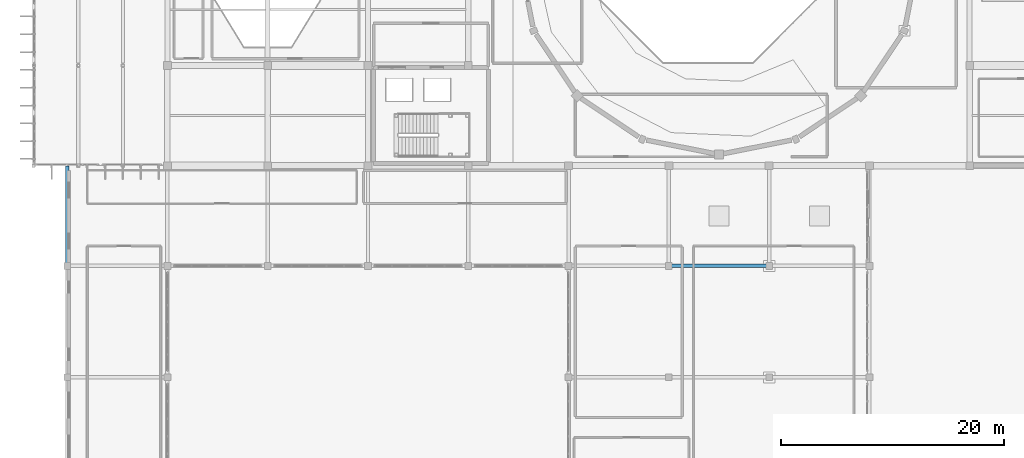
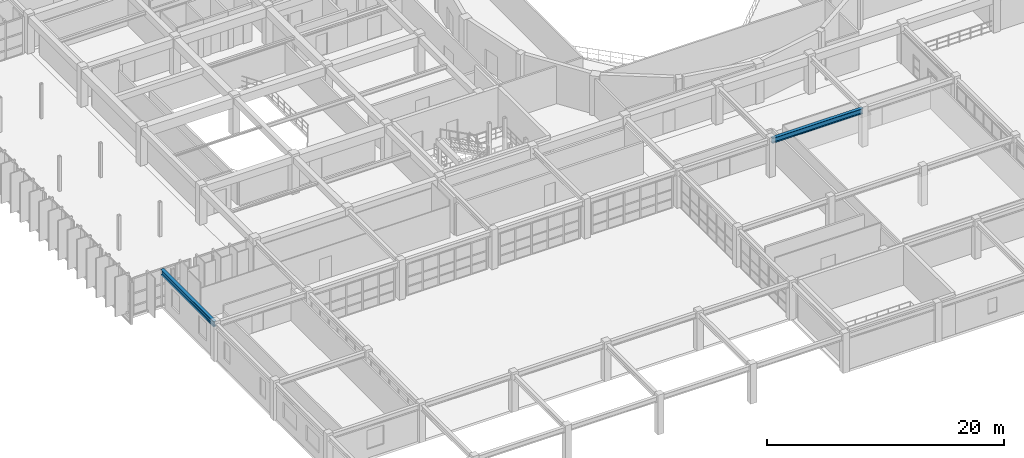
# One storey, part 24 of 110: 2 beams.
"""IFC4 building model written with IfcOpenShell, lengths in metres."""

import ifcopenshell
import ifcopenshell.guid

model = None  # the IFC model being written
_history = None  # IfcOwnerHistory: only IFC2X3 demands one
_inside = {}  # id of a spatial element -> (the spatial element, [elements in it])
_under = {}  # id of a project, library or spatial element -> (it, [spatial elements below it])
_declared = {}  # id of a project -> (the project, [libraries it declares])
_typed = {}  # id of a type object -> (the type object, [elements of that type])
_made_of = {}  # id of a material, layer set ... -> (it, [elements and type objects made of it])


def new_model(schema):
    """Start an empty IFC model of exactly this schema.

    Asked for "IFC4X3", IfcOpenShell would pick the latest addendum, in which some entities
    have other attributes; the version numbers below select the first issue.
    IFC2X3 requires an IfcOwnerHistory on every rooted entity: one is made here for all.
    """
    global model, _history
    if schema == "IFC4X3":
        model = ifcopenshell.file(schema_version=(4, 3, 0, 0))
    else:
        model = ifcopenshell.file(schema=schema)
    _inside.clear()
    _under.clear()
    _declared.clear()
    _typed.clear()
    _made_of.clear()
    _history = None
    if model.schema == "IFC2X3":
        org = make("IfcOrganization", Name="unknown")
        user = make(
            "IfcPersonAndOrganization",
            ThePerson=make("IfcPerson", FamilyName="unknown"),
            TheOrganization=org,
        )
        app = make(
            "IfcApplication",
            ApplicationDeveloper=org,
            Version="unknown",
            ApplicationFullName="unknown",
            ApplicationIdentifier="unknown",
        )
        _history = make(
            "IfcOwnerHistory",
            OwningUser=user,
            OwningApplication=app,
            ChangeAction="ADDED",
            CreationDate=0,
        )
    return model


def make(cls, **values):
    """One entity of the class cls with the attributes given. An attribute that is None is left unset."""
    return model.create_entity(
        cls, **{name: value for name, value in values.items() if value is not None}
    )


def rooted(cls, **values):
    """An entity with a GlobalId (a new one), such as an element, a storey or a relation."""
    return make(cls, GlobalId=ifcopenshell.guid.new(), OwnerHistory=_history, **values)


def si_unit(unit_type, name, prefix=None):
    """IfcSIUnit, for example si_unit("LENGTHUNIT", "METRE", prefix="MILLI")."""
    return make("IfcSIUnit", UnitType=unit_type, Prefix=prefix, Name=name)


def assignment(units):
    """IfcUnitAssignment: the units of a project."""
    return None if units is None else make("IfcUnitAssignment", Units=units)


def point(xyz):
    """IfcCartesianPoint."""
    return None if xyz is None else make("IfcCartesianPoint", Coordinates=xyz)


def direction(xyz):
    """IfcDirection."""
    return None if xyz is None else make("IfcDirection", DirectionRatios=xyz)


def frame(location, z_axis=None, x_axis=None):
    """IfcAxis2Placement3D, a coordinate frame: its origin and axes. An axis left out is left unset."""
    return make(
        "IfcAxis2Placement3D",
        Location=point(location),
        Axis=direction(z_axis),
        RefDirection=direction(x_axis),
    )


def frame_2d(location, x_axis=None):
    """IfcAxis2Placement2D, a coordinate frame in the plane: its origin and x axis."""
    return make(
        "IfcAxis2Placement2D", Location=point(location), RefDirection=direction(x_axis)
    )


def origin():
    """The frame at (0, 0, 0) with its axes left unset."""
    return frame((0.0, 0.0, 0.0))


def origin_2d():
    """The frame at (0, 0) in the plane with its x axis left unset."""
    return frame_2d((0.0, 0.0))


def place(relative_to, where):
    """IfcLocalPlacement: puts the frame where relative to a parent placement (None: the world)."""
    return make(
        "IfcLocalPlacement", PlacementRelTo=relative_to, RelativePlacement=where
    )


def context(
    kind, dimensions, precision=None, world=None, true_north=None, identifier=None
):
    """IfcGeometricRepresentationContext, for example the 3D "Model" context."""
    return make(
        "IfcGeometricRepresentationContext",
        ContextIdentifier=identifier,
        ContextType=kind,
        CoordinateSpaceDimension=dimensions,
        Precision=precision,
        WorldCoordinateSystem=world,
        TrueNorth=true_north,
    )


def subcontext(parent, identifier, kind, view, scale=None):
    """IfcGeometricRepresentationSubContext, for example "Body" below "Model"."""
    return make(
        "IfcGeometricRepresentationSubContext",
        ContextIdentifier=identifier,
        ContextType=kind,
        ParentContext=parent,
        TargetScale=scale,
        TargetView=view,
    )


def project(units=None, contexts=None):
    """IfcProject with its units and contexts."""
    return rooted(
        "IfcProject",
        Name="project",
        RepresentationContexts=contexts,
        UnitsInContext=assignment(units),
    )


def spatial(cls, under=None, at=None, **own):
    """A site, building, storey or space (cls), placed at a placement, below another one or the project."""
    s = rooted(cls, ObjectPlacement=at, **own)
    if under is not None:
        _under.setdefault(under.id(), (under, []))[1].append(s)
    return s


def profile(cls, at=None, kind="AREA", **sizes):
    """A parametric profile (cls). Its sizes go by their IFC names, for example OverallWidth=200.0."""
    return make(cls, ProfileType=kind, Position=at, **sizes)


def i_section(**sizes):
    """IfcIShapeProfileDef."""
    return profile("IfcIShapeProfileDef", **sizes)


def extrude(swept, where, along, depth):
    """IfcExtrudedAreaSolid: the profile swept, set in the frame where, extruded along a direction by depth."""
    return make(
        "IfcExtrudedAreaSolid",
        SweptArea=swept,
        Position=where,
        ExtrudedDirection=direction(along),
        Depth=depth,
    )


def shape(context_of_items, identifier, shape_type, items):
    """IfcShapeRepresentation: the items that make up one representation, for example the "Body"."""
    return make(
        "IfcShapeRepresentation",
        ContextOfItems=context_of_items,
        RepresentationIdentifier=identifier,
        RepresentationType=shape_type,
        Items=items,
    )


def material(Name=None, Category=None):
    """IfcMaterial."""
    return make("IfcMaterial", Name=Name, Category=Category)


def material_profile(
    of_material, cross_section, Name=None, Category=None, Priority=None
):
    """IfcMaterialProfile: a cross section and its material."""
    return make(
        "IfcMaterialProfile",
        Name=Name,
        Material=of_material,
        Profile=cross_section,
        Priority=Priority,
        Category=Category,
    )


def profile_set(profiles, Name=None, composite=None):
    """IfcMaterialProfileSet."""
    return make(
        "IfcMaterialProfileSet",
        Name=Name,
        MaterialProfiles=profiles,
        CompositeProfile=composite,
    )


def made_of(thing, what):
    """Note that an element or type object is made of a material, layer set ...; save() writes the relation."""
    if what is not None:
        _made_of.setdefault(what.id(), (what, []))[1].append(thing)
    return thing


def type_object(cls, material=None, **own):
    """A type object (cls), such as IfcWallType, which elements share."""
    return made_of(rooted(cls, **own), material)


def element(
    cls,
    number,
    at=None,
    inside=None,
    cuts=None,
    type_object=None,
    material=None,
    context=None,
    identifier="Body",
    shape_type=None,
    held_by="IfcProductDefinitionShape",
    body=None,
    shapes=None,
    **own,
):
    """One element of the class cls, such as IfcWall. Its Tag is "e" and its number.

    at: its placement. inside: the storey or other place that contains it. cuts: it is an
    opening in that element (IfcRelVoidsElement). A single representation is given by context,
    identifier, shape_type and body (its items); several are given by shapes. held_by: the class
    of the entity that holds the representations. save() writes the other relations.
    """
    e = rooted(cls, Tag="e%d" % number, ObjectPlacement=at, **own)
    if body is not None:
        shapes = [shape(context, identifier, shape_type, body)]
    if shapes is not None:
        e.Representation = make(held_by, Representations=shapes)
    if inside is not None:
        _inside.setdefault(inside.id(), (inside, []))[1].append(e)
    if cuts is not None:
        rooted(
            "IfcRelVoidsElement", RelatingBuildingElement=cuts, RelatedOpeningElement=e
        )
    if type_object is not None:
        _typed.setdefault(type_object.id(), (type_object, []))[1].append(e)
    return made_of(e, material)


def aggregate(whole, parts):
    """IfcRelAggregates: a whole, such as a stair, and the parts it consists of."""
    return rooted("IfcRelAggregates", RelatingObject=whole, RelatedObjects=parts)


def save(model, path):
    """Write the relations noted so far, then the file.

    IfcRelAggregates (storeys below a building ...), IfcRelContainedInSpatialStructure (elements
    in a storey), IfcRelDefinesByType, IfcRelAssociatesMaterial and IfcRelDeclares: one each for
    every whole, place, type object, material and project.
    """
    for whole, parts in _under.values():
        aggregate(whole, parts)
    for where, things in _inside.values():
        rooted(
            "IfcRelContainedInSpatialStructure",
            RelatedElements=things,
            RelatingStructure=where,
        )
    for kind, things in _typed.values():
        rooted("IfcRelDefinesByType", RelatedObjects=things, RelatingType=kind)
    for what, things in _made_of.values():
        rooted("IfcRelAssociatesMaterial", RelatedObjects=things, RelatingMaterial=what)
    for by, libraries in _declared.values():
        rooted("IfcRelDeclares", RelatingContext=by, RelatedDefinitions=libraries)
    model.write(path)


model = new_model("IFC4")

# Units and contexts
model_context = context("Model", 3, precision=1e-05, world=origin(), true_north=direction((0.0, 1.0)))
body_context = subcontext(model_context, "Body", "Model", "MODEL_VIEW")
ifc_project = project(units=[si_unit("LENGTHUNIT", "METRE"), si_unit("AREAUNIT", "SQUARE_METRE"), si_unit("VOLUMEUNIT", "CUBIC_METRE"), si_unit("PLANEANGLEUNIT", "RADIAN"), si_unit("MASSUNIT", "GRAM", prefix="KILO")], contexts=[model_context])

# Site, building, storey
site_placement = place(None, origin())
site = spatial("IfcSite", under=ifc_project, at=site_placement, CompositionType="ELEMENT")
building_placement = place(site_placement, origin())
building = spatial("IfcBuilding", under=site, at=building_placement, Name="Miravela Opera House", CompositionType="ELEMENT")
storey_placement = place(building_placement, frame((0.0, 0.0, 13.60009765625)))
storey = spatial("IfcBuildingStorey", under=building, at=storey_placement, Name="L03", CompositionType="ELEMENT", Elevation=13.60009765625)

# Beams
ifc_material = material(Name="Structural steel ASTM A992 Gr. 50", Category="steel")
ifc_material_profile = material_profile(ifc_material, i_section(OverallWidth=0.31201171875, OverallDepth=0.54296875, WebThickness=0.0126953125, FlangeThickness=0.020263671875, FilletRadius=0.01611328125, at=origin_2d()), Name="W530X150")
ifc_profile_set = profile_set([ifc_material_profile])
beam_type = type_object("IfcBeamType", Name="STR-BM-W530X150", PredefinedType="BEAM", material=ifc_profile_set)
beam_1_placement = place(storey_placement, frame((72.080078125, 28.0, 3.568359375), z_axis=(1.0, 0.0, 0.0), x_axis=(0.0, 1.0, 0.0)))
element("IfcBeam", 1, at=beam_1_placement, inside=storey, type_object=beam_type, Name="Roof Eave Girder ROOF-V4-WEST-N S7", PredefinedType="BEAM", context=body_context, shape_type="SweptSolid", body=[
    extrude(i_section(OverallWidth=0.31201171875, OverallDepth=0.54296875, WebThickness=0.0126953125, FlangeThickness=0.020263671875, FilletRadius=0.01611328125, at=origin_2d()), origin(), (0.0, 0.0, 1.0), 8.83984375),
])
beam_2_placement = place(storey_placement, frame((18.0, 28.080078125, 3.568359375), z_axis=(0.0, 1.0, 0.0), x_axis=(-1.0, 0.0, 0.0)))
element("IfcBeam", 2, at=beam_2_placement, inside=storey, type_object=beam_type, Name="Roof King-Post Transverse Tie Girder ROOF-V4-WEST-N T0.1", PredefinedType="BEAM", context=body_context, shape_type="SweptSolid", body=[
    extrude(i_section(OverallWidth=0.31201171875, OverallDepth=0.54296875, WebThickness=0.0126953125, FlangeThickness=0.020263671875, FilletRadius=0.01611328125, at=origin_2d()), origin(), (0.0, 0.0, 1.0), 8.89990234375),
])

save(model, "model.ifc")
